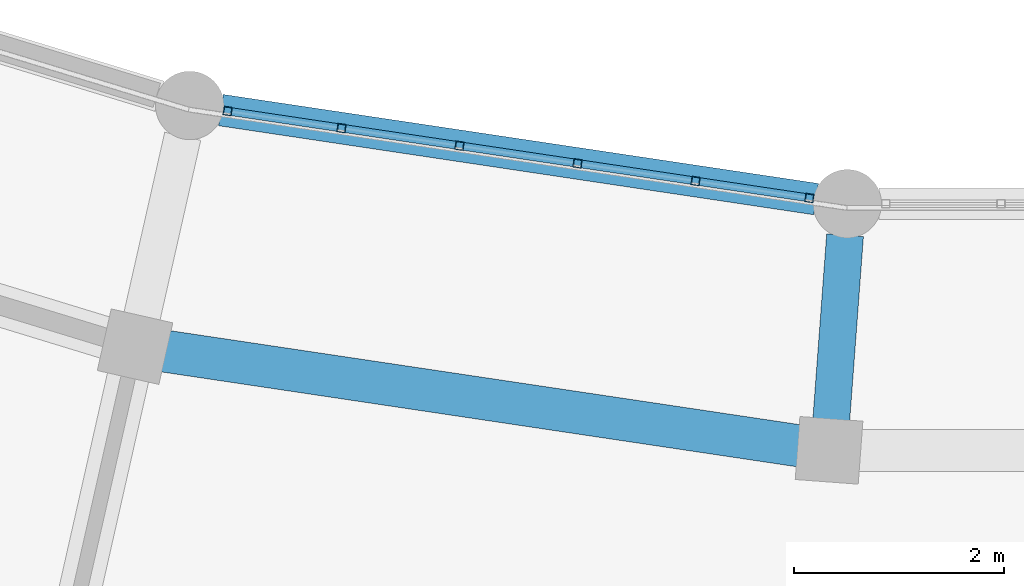
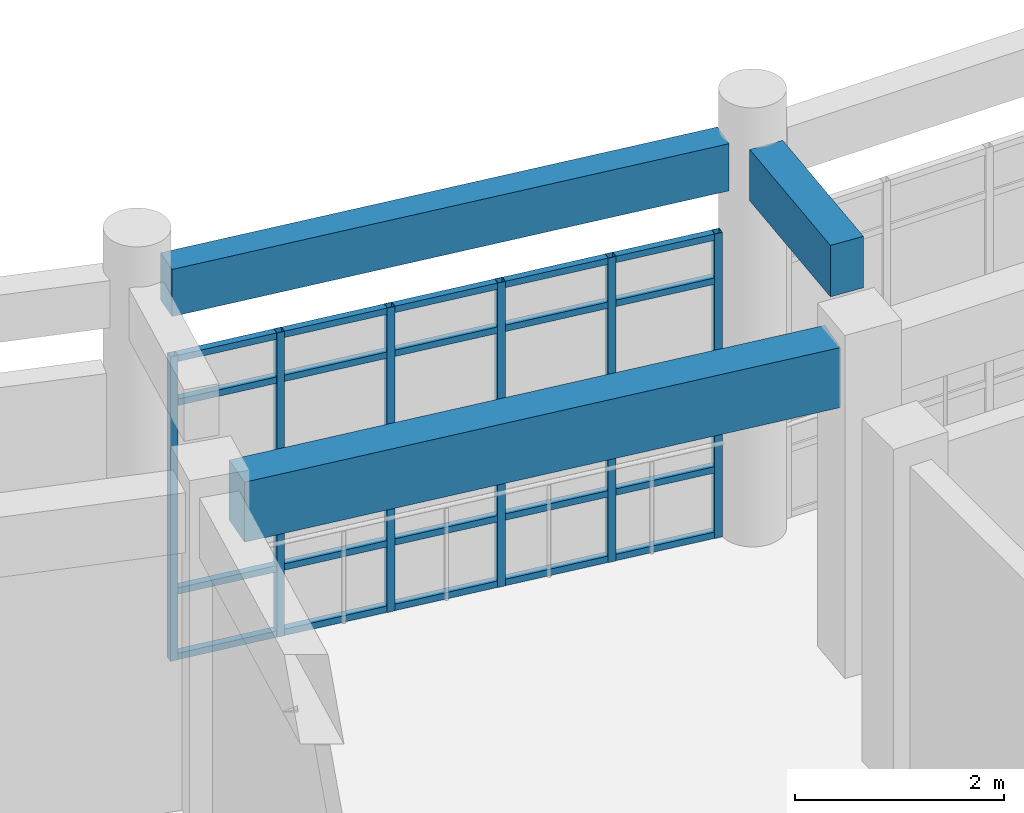
# One storey, part 31 of 159: 26 members, 3 beams, 1 element without a shape of its own.
"""IFC4 building model written with IfcOpenShell, lengths in metres."""

from ifc_helpers import new_model, si_unit, direction, frame, origin, origin_2d, place, context, subcontext, project, spatial, rectangle, hollow_rectangle, extrude, material, material_profile, profile_set, type_object, element, aggregate, save


model = new_model("IFC4")

# Units and contexts
model_context = context("Model", 3, precision=1e-05, world=origin(), true_north=direction((0.0, 1.0)))
body_context = subcontext(model_context, "Body", "Model", "MODEL_VIEW")
ifc_project = project(units=[si_unit("LENGTHUNIT", "METRE"), si_unit("AREAUNIT", "SQUARE_METRE"), si_unit("VOLUMEUNIT", "CUBIC_METRE"), si_unit("PLANEANGLEUNIT", "RADIAN"), si_unit("MASSUNIT", "GRAM", prefix="KILO")], contexts=[model_context])

# Site, building, storey
site_placement = place(None, origin())
site = spatial("IfcSite", under=ifc_project, at=site_placement, CompositionType="ELEMENT")
building_placement = place(site_placement, origin())
building = spatial("IfcBuilding", under=site, at=building_placement, Name="Celadon Cloister-Ring School", CompositionType="ELEMENT")
storey_placement = place(building_placement, frame((0.0, 0.0, 4.5)))
storey = spatial("IfcBuildingStorey", under=building, at=storey_placement, Name="L01", CompositionType="ELEMENT", Elevation=4.5)

# Beam
ifc_material_1 = material(Name="Concrete C35/45", Category="concrete")
ifc_material_profile_1 = material_profile(ifc_material_1, rectangle(XDim=0.35009765625, YDim=0.60009765625, at=origin_2d()), Name="RC350X600")
ifc_profile_set_1 = profile_set([ifc_material_profile_1], Name="Concrete C35/45")
beam_type_1 = type_object("IfcBeamType", Name="BT-02", PredefinedType="BEAM", material=ifc_profile_set_1)
beam_1_placement = place(storey_placement, frame((83.68701171875, 14.39794921875, 4.35009765625), z_axis=(0.074413800037, 0.997227449664, 0.0), x_axis=(-0.997227449664, 0.074413800037, 0.0)))
element("IfcBeam", 1, at=beam_1_placement, inside=storey, type_object=beam_type_1, Name="Beam 0232", PredefinedType="BEAM", context=body_context, shape_type="SweptSolid", body=[
    extrude(rectangle(XDim=0.35009765625, YDim=0.60009765625, at=origin_2d()), origin(), (0.0, 0.0, 1.0), 1.77490234375),
])

# Curtain wall, members
ifc_material_2 = material(Name="Aluminium EN AW-6063 T6", Category="aluminium")
curtain_wall_type = type_object("IfcCurtainWallType", Name="CW-01", PredefinedType="USERDEFINED", material=ifc_material_2)
curtain_wall_placement = place(storey_placement, origin())
curtain_wall = element("IfcCurtainWall", 2, at=curtain_wall_placement, inside=storey, type_object=curtain_wall_type, Name="Curtain Wall 0031", ObjectType="CURTAIN WALL", PredefinedType="USERDEFINED")
ifc_material_3 = material(Name="Aluminium EN AW-6063 T6", Category="aluminium")
ifc_material_profile_2 = material_profile(ifc_material_3, hollow_rectangle(XDim=0.080078125, YDim=0.080078125, WallThickness=0.00390625, at=origin_2d()), Name="RHS80X80X4")
ifc_profile_set_2 = profile_set([ifc_material_profile_2], Name="Aluminium EN AW-6063 T6")
member_type_1 = type_object("IfcMemberType", Name="CM-03", PredefinedType="MULLION", material=ifc_profile_set_2)
member_1_placement = place(storey_placement, frame((77.95263671875, 17.34716796875, 0.0), z_axis=(0.0, 0.0, 1.0), x_axis=(0.147814282744, 0.989015135282, 0.0)))
member_1 = element("IfcMember", 3, at=member_1_placement, type_object=member_type_1, Name="CW-01 mullion 1", PredefinedType="MULLION", context=body_context, shape_type="SweptSolid", body=[
    extrude(hollow_rectangle(XDim=0.080078125, YDim=0.080078125, WallThickness=0.00390625, at=origin_2d()), origin(), (0.0, 0.0, 1.0), 3.550048828125),
])
member_2_placement = place(storey_placement, frame((79.034423828125, 17.185302734375, 0.0), z_axis=(0.0, 0.0, 1.0), x_axis=(0.147814282744, 0.989015135282, 0.0)))
member_2 = element("IfcMember", 4, at=member_2_placement, type_object=member_type_1, Name="CW-01 mullion 2", PredefinedType="MULLION", context=body_context, shape_type="SweptSolid", body=[
    extrude(hollow_rectangle(XDim=0.080078125, YDim=0.080078125, WallThickness=0.00390625, at=origin_2d()), origin(), (0.0, 0.0, 1.0), 3.550048828125),
])
member_3_placement = place(storey_placement, frame((80.15576171875, 17.017822265625, 0.0), z_axis=(0.0, 0.0, 1.0), x_axis=(0.147814282744, 0.989015135282, 0.0)))
member_3 = element("IfcMember", 5, at=member_3_placement, type_object=member_type_1, Name="CW-01 mullion 3", PredefinedType="MULLION", context=body_context, shape_type="SweptSolid", body=[
    extrude(hollow_rectangle(XDim=0.080078125, YDim=0.080078125, WallThickness=0.00390625, at=origin_2d()), origin(), (0.0, 0.0, 1.0), 3.550048828125),
])
member_4_placement = place(storey_placement, frame((81.277099609375, 16.85009765625, 0.0), z_axis=(0.0, 0.0, 1.0), x_axis=(0.147814282744, 0.989015135282, 0.0)))
member_4 = element("IfcMember", 6, at=member_4_placement, type_object=member_type_1, Name="CW-01 mullion 4", PredefinedType="MULLION", context=body_context, shape_type="SweptSolid", body=[
    extrude(hollow_rectangle(XDim=0.080078125, YDim=0.080078125, WallThickness=0.00390625, at=origin_2d()), origin(), (0.0, 0.0, 1.0), 3.550048828125),
])
member_5_placement = place(storey_placement, frame((82.398681640625, 16.6826171875, 0.0), z_axis=(0.0, 0.0, 1.0), x_axis=(0.147814282744, 0.989015135282, 0.0)))
member_5 = element("IfcMember", 7, at=member_5_placement, type_object=member_type_1, Name="CW-01 mullion 5", PredefinedType="MULLION", context=body_context, shape_type="SweptSolid", body=[
    extrude(hollow_rectangle(XDim=0.080078125, YDim=0.080078125, WallThickness=0.00390625, at=origin_2d()), origin(), (0.0, 0.0, 1.0), 3.550048828125),
])
member_6_placement = place(storey_placement, frame((83.48046875, 16.52099609375, 0.0), z_axis=(0.0, 0.0, 1.0), x_axis=(0.147814282744, 0.989015135282, 0.0)))
member_6 = element("IfcMember", 8, at=member_6_placement, type_object=member_type_1, Name="CW-01 mullion 6", PredefinedType="MULLION", context=body_context, shape_type="SweptSolid", body=[
    extrude(hollow_rectangle(XDim=0.080078125, YDim=0.080078125, WallThickness=0.00390625, at=origin_2d()), origin(), (0.0, 0.0, 1.0), 3.550048828125),
])
ifc_material_4 = material(Name="Aluminium EN AW-6063 T6", Category="aluminium")
ifc_material_profile_3 = material_profile(ifc_material_4, hollow_rectangle(XDim=0.074951171875, YDim=0.074951171875, WallThickness=0.00390625, at=origin_2d()), Name="RHS75X75X4")
ifc_profile_set_3 = profile_set([ifc_material_profile_3], Name="Aluminium EN AW-6063 T6")
member_type_2 = type_object("IfcMemberType", Name="CTM-03", PredefinedType="USERDEFINED", material=ifc_profile_set_3)
member_7_placement = place(storey_placement, frame((77.9921875, 17.341064453125, 0.03759765625), z_axis=(0.989043842312, -0.147622078241, 0.0), x_axis=(0.147622078241, 0.989043842312, 0.0)))
member_7 = element("IfcMember", 9, at=member_7_placement, type_object=member_type_2, Name="CW-01 transom 1.1", ObjectType="TRANSOM", PredefinedType="USERDEFINED", context=body_context, shape_type="SweptSolid", body=[
    extrude(hollow_rectangle(XDim=0.074951171875, YDim=0.074951171875, WallThickness=0.00390625, at=origin_2d()), origin(), (0.0, 0.0, 1.0), 1.013671875),
])
member_8_placement = place(storey_placement, frame((77.9921875, 17.341064453125, 0.800048828125), z_axis=(0.989043842312, -0.147622078241, 0.0), x_axis=(0.147622078241, 0.989043842312, 0.0)))
member_8 = element("IfcMember", 10, at=member_8_placement, type_object=member_type_2, Name="CW-01 transom 1.2", ObjectType="TRANSOM", PredefinedType="USERDEFINED", context=body_context, shape_type="SweptSolid", body=[
    extrude(hollow_rectangle(XDim=0.074951171875, YDim=0.074951171875, WallThickness=0.00390625, at=origin_2d()), origin(), (0.0, 0.0, 1.0), 1.013671875),
])
member_9_placement = place(storey_placement, frame((77.9921875, 17.341064453125, 3.0), z_axis=(0.989043842312, -0.147622078241, 0.0), x_axis=(0.147622078241, 0.989043842312, 0.0)))
member_9 = element("IfcMember", 11, at=member_9_placement, type_object=member_type_2, Name="CW-01 transom 1.3", ObjectType="TRANSOM", PredefinedType="USERDEFINED", context=body_context, shape_type="SweptSolid", body=[
    extrude(hollow_rectangle(XDim=0.074951171875, YDim=0.074951171875, WallThickness=0.00390625, at=origin_2d()), origin(), (0.0, 0.0, 1.0), 1.013671875),
])
member_10_placement = place(storey_placement, frame((77.9921875, 17.341064453125, 3.512451171875), z_axis=(0.989043842312, -0.147622078241, 0.0), x_axis=(0.147622078241, 0.989043842312, 0.0)))
member_10 = element("IfcMember", 12, at=member_10_placement, type_object=member_type_2, Name="CW-01 transom 1.4", ObjectType="TRANSOM", PredefinedType="USERDEFINED", context=body_context, shape_type="SweptSolid", body=[
    extrude(hollow_rectangle(XDim=0.074951171875, YDim=0.074951171875, WallThickness=0.00390625, at=origin_2d()), origin(), (0.0, 0.0, 1.0), 1.013671875),
])
member_11_placement = place(storey_placement, frame((79.073974609375, 17.179443359375, 0.03759765625), z_axis=(0.989016077564, -0.14780797786, 0.0), x_axis=(0.14780797786, 0.989016077564, 0.0)))
member_11 = element("IfcMember", 13, at=member_11_placement, type_object=member_type_2, Name="CW-01 transom 2.1", ObjectType="TRANSOM", PredefinedType="USERDEFINED", context=body_context, shape_type="SweptSolid", body=[
    extrude(hollow_rectangle(XDim=0.074951171875, YDim=0.074951171875, WallThickness=0.00390625, at=origin_2d()), origin(), (0.0, 0.0, 1.0), 1.0537109375),
])
member_12_placement = place(storey_placement, frame((79.073974609375, 17.179443359375, 0.800048828125), z_axis=(0.989016077564, -0.14780797786, 0.0), x_axis=(0.14780797786, 0.989016077564, 0.0)))
member_12 = element("IfcMember", 14, at=member_12_placement, type_object=member_type_2, Name="CW-01 transom 2.2", ObjectType="TRANSOM", PredefinedType="USERDEFINED", context=body_context, shape_type="SweptSolid", body=[
    extrude(hollow_rectangle(XDim=0.074951171875, YDim=0.074951171875, WallThickness=0.00390625, at=origin_2d()), origin(), (0.0, 0.0, 1.0), 1.0537109375),
])
member_13_placement = place(storey_placement, frame((79.073974609375, 17.179443359375, 3.0), z_axis=(0.989016077564, -0.14780797786, 0.0), x_axis=(0.14780797786, 0.989016077564, 0.0)))
member_13 = element("IfcMember", 15, at=member_13_placement, type_object=member_type_2, Name="CW-01 transom 2.3", ObjectType="TRANSOM", PredefinedType="USERDEFINED", context=body_context, shape_type="SweptSolid", body=[
    extrude(hollow_rectangle(XDim=0.074951171875, YDim=0.074951171875, WallThickness=0.00390625, at=origin_2d()), origin(), (0.0, 0.0, 1.0), 1.0537109375),
])
member_14_placement = place(storey_placement, frame((79.073974609375, 17.179443359375, 3.512451171875), z_axis=(0.989016077564, -0.14780797786, 0.0), x_axis=(0.14780797786, 0.989016077564, 0.0)))
member_14 = element("IfcMember", 16, at=member_14_placement, type_object=member_type_2, Name="CW-01 transom 2.4", ObjectType="TRANSOM", PredefinedType="USERDEFINED", context=body_context, shape_type="SweptSolid", body=[
    extrude(hollow_rectangle(XDim=0.074951171875, YDim=0.074951171875, WallThickness=0.00390625, at=origin_2d()), origin(), (0.0, 0.0, 1.0), 1.0537109375),
])
member_15_placement = place(storey_placement, frame((80.1953125, 17.011962890625, 0.03759765625), z_axis=(0.989016077564, -0.14780797786, 0.0), x_axis=(0.14780797786, 0.989016077564, 0.0)))
member_15 = element("IfcMember", 17, at=member_15_placement, type_object=member_type_2, Name="CW-01 transom 3.1", ObjectType="TRANSOM", PredefinedType="USERDEFINED", context=body_context, shape_type="SweptSolid", body=[
    extrude(hollow_rectangle(XDim=0.074951171875, YDim=0.074951171875, WallThickness=0.00390625, at=origin_2d()), origin(), (0.0, 0.0, 1.0), 1.0537109375),
])
member_16_placement = place(storey_placement, frame((80.1953125, 17.011962890625, 0.800048828125), z_axis=(0.989016077564, -0.14780797786, 0.0), x_axis=(0.14780797786, 0.989016077564, 0.0)))
member_16 = element("IfcMember", 18, at=member_16_placement, type_object=member_type_2, Name="CW-01 transom 3.2", ObjectType="TRANSOM", PredefinedType="USERDEFINED", context=body_context, shape_type="SweptSolid", body=[
    extrude(hollow_rectangle(XDim=0.074951171875, YDim=0.074951171875, WallThickness=0.00390625, at=origin_2d()), origin(), (0.0, 0.0, 1.0), 1.0537109375),
])
member_17_placement = place(storey_placement, frame((80.1953125, 17.011962890625, 3.0), z_axis=(0.989016077564, -0.14780797786, 0.0), x_axis=(0.14780797786, 0.989016077564, 0.0)))
member_17 = element("IfcMember", 19, at=member_17_placement, type_object=member_type_2, Name="CW-01 transom 3.3", ObjectType="TRANSOM", PredefinedType="USERDEFINED", context=body_context, shape_type="SweptSolid", body=[
    extrude(hollow_rectangle(XDim=0.074951171875, YDim=0.074951171875, WallThickness=0.00390625, at=origin_2d()), origin(), (0.0, 0.0, 1.0), 1.0537109375),
])
member_18_placement = place(storey_placement, frame((80.1953125, 17.011962890625, 3.512451171875), z_axis=(0.989016077564, -0.14780797786, 0.0), x_axis=(0.14780797786, 0.989016077564, 0.0)))
member_18 = element("IfcMember", 20, at=member_18_placement, type_object=member_type_2, Name="CW-01 transom 3.4", ObjectType="TRANSOM", PredefinedType="USERDEFINED", context=body_context, shape_type="SweptSolid", body=[
    extrude(hollow_rectangle(XDim=0.074951171875, YDim=0.074951171875, WallThickness=0.00390625, at=origin_2d()), origin(), (0.0, 0.0, 1.0), 1.0537109375),
])
member_19_placement = place(storey_placement, frame((81.316650390625, 16.84423828125, 0.03759765625), z_axis=(0.989021137252, -0.1477741184, 0.0), x_axis=(0.1477741184, 0.989021137252, 0.0)))
member_19 = element("IfcMember", 21, at=member_19_placement, type_object=member_type_2, Name="CW-01 transom 4.1", ObjectType="TRANSOM", PredefinedType="USERDEFINED", context=body_context, shape_type="SweptSolid", body=[
    extrude(hollow_rectangle(XDim=0.074951171875, YDim=0.074951171875, WallThickness=0.00390625, at=origin_2d()), origin(), (0.0, 0.0, 1.0), 1.053955078125),
])
member_20_placement = place(storey_placement, frame((81.316650390625, 16.84423828125, 0.800048828125), z_axis=(0.989021137252, -0.1477741184, 0.0), x_axis=(0.1477741184, 0.989021137252, 0.0)))
member_20 = element("IfcMember", 22, at=member_20_placement, type_object=member_type_2, Name="CW-01 transom 4.2", ObjectType="TRANSOM", PredefinedType="USERDEFINED", context=body_context, shape_type="SweptSolid", body=[
    extrude(hollow_rectangle(XDim=0.074951171875, YDim=0.074951171875, WallThickness=0.00390625, at=origin_2d()), origin(), (0.0, 0.0, 1.0), 1.053955078125),
])
member_21_placement = place(storey_placement, frame((81.316650390625, 16.84423828125, 3.0), z_axis=(0.989021137252, -0.1477741184, 0.0), x_axis=(0.1477741184, 0.989021137252, 0.0)))
member_21 = element("IfcMember", 23, at=member_21_placement, type_object=member_type_2, Name="CW-01 transom 4.3", ObjectType="TRANSOM", PredefinedType="USERDEFINED", context=body_context, shape_type="SweptSolid", body=[
    extrude(hollow_rectangle(XDim=0.074951171875, YDim=0.074951171875, WallThickness=0.00390625, at=origin_2d()), origin(), (0.0, 0.0, 1.0), 1.053955078125),
])
member_22_placement = place(storey_placement, frame((81.316650390625, 16.84423828125, 3.512451171875), z_axis=(0.989021137252, -0.1477741184, 0.0), x_axis=(0.1477741184, 0.989021137252, 0.0)))
member_22 = element("IfcMember", 24, at=member_22_placement, type_object=member_type_2, Name="CW-01 transom 4.4", ObjectType="TRANSOM", PredefinedType="USERDEFINED", context=body_context, shape_type="SweptSolid", body=[
    extrude(hollow_rectangle(XDim=0.074951171875, YDim=0.074951171875, WallThickness=0.00390625, at=origin_2d()), origin(), (0.0, 0.0, 1.0), 1.053955078125),
])
member_23_placement = place(storey_placement, frame((82.438232421875, 16.6767578125, 0.03759765625), z_axis=(0.989008654796, -0.147857636729, 0.0), x_axis=(0.147857636729, 0.989008654796, 0.0)))
member_23 = element("IfcMember", 25, at=member_23_placement, type_object=member_type_2, Name="CW-01 transom 5.1", ObjectType="TRANSOM", PredefinedType="USERDEFINED", context=body_context, shape_type="SweptSolid", body=[
    extrude(hollow_rectangle(XDim=0.074951171875, YDim=0.074951171875, WallThickness=0.00390625, at=origin_2d()), origin(), (0.0, 0.0, 1.0), 1.013916015625),
])
member_24_placement = place(storey_placement, frame((82.438232421875, 16.6767578125, 0.800048828125), z_axis=(0.989008654796, -0.147857636729, 0.0), x_axis=(0.147857636729, 0.989008654796, 0.0)))
member_24 = element("IfcMember", 26, at=member_24_placement, type_object=member_type_2, Name="CW-01 transom 5.2", ObjectType="TRANSOM", PredefinedType="USERDEFINED", context=body_context, shape_type="SweptSolid", body=[
    extrude(hollow_rectangle(XDim=0.074951171875, YDim=0.074951171875, WallThickness=0.00390625, at=origin_2d()), origin(), (0.0, 0.0, 1.0), 1.013916015625),
])
member_25_placement = place(storey_placement, frame((82.438232421875, 16.6767578125, 3.0), z_axis=(0.989008654796, -0.147857636729, 0.0), x_axis=(0.147857636729, 0.989008654796, 0.0)))
member_25 = element("IfcMember", 27, at=member_25_placement, type_object=member_type_2, Name="CW-01 transom 5.3", ObjectType="TRANSOM", PredefinedType="USERDEFINED", context=body_context, shape_type="SweptSolid", body=[
    extrude(hollow_rectangle(XDim=0.074951171875, YDim=0.074951171875, WallThickness=0.00390625, at=origin_2d()), origin(), (0.0, 0.0, 1.0), 1.013916015625),
])
member_26_placement = place(storey_placement, frame((82.438232421875, 16.6767578125, 3.512451171875), z_axis=(0.989008654796, -0.147857636729, 0.0), x_axis=(0.147857636729, 0.989008654796, 0.0)))
member_26 = element("IfcMember", 28, at=member_26_placement, type_object=member_type_2, Name="CW-01 transom 5.4", ObjectType="TRANSOM", PredefinedType="USERDEFINED", context=body_context, shape_type="SweptSolid", body=[
    extrude(hollow_rectangle(XDim=0.074951171875, YDim=0.074951171875, WallThickness=0.00390625, at=origin_2d()), origin(), (0.0, 0.0, 1.0), 1.013916015625),
])
aggregate(curtain_wall, [member_1, member_2, member_3, member_4, member_5, member_6, member_7, member_8, member_9, member_10, member_11, member_12, member_13, member_14, member_15, member_16, member_17, member_18, member_19, member_20, member_21, member_22, member_23, member_24, member_25, member_26])

# Beams
ifc_material_5 = material(Name="Concrete C35/45", Category="concrete")
ifc_material_profile_4 = material_profile(ifc_material_5, rectangle(XDim=0.39990234375, YDim=0.699951171875, at=origin_2d()), Name="RC400X700")
ifc_profile_set_4 = profile_set([ifc_material_profile_4], Name="Concrete C35/45")
beam_type_2 = type_object("IfcBeamType", Name="GT-03", PredefinedType="USERDEFINED", material=ifc_profile_set_4)
beam_2_placement = place(storey_placement, frame((77.344970703125, 15.068115234375, 3.429931640625), z_axis=(0.989042366653, -0.14763196458, 0.0), x_axis=(0.14763196458, 0.989042366653, 0.0)))
element("IfcBeam", 29, at=beam_2_placement, inside=storey, type_object=beam_type_2, Name="Beam 0329", ObjectType="GIRDER", PredefinedType="USERDEFINED", context=body_context, shape_type="SweptSolid", body=[
    extrude(rectangle(XDim=0.39990234375, YDim=0.699951171875, at=origin_2d()), origin(), (0.0, 0.0, 1.0), 6.1171875),
])
ifc_material_6 = material(Name="Concrete C35/45", Category="concrete")
ifc_material_profile_5 = material_profile(ifc_material_6, rectangle(XDim=0.300048828125, YDim=0.550048828125, at=origin_2d()), Name="RC300X550")
ifc_profile_set_5 = profile_set([ifc_material_profile_5], Name="Concrete C35/45")
beam_type_3 = type_object("IfcBeamType", Name="SP-02", PredefinedType="SPANDREL", material=ifc_profile_set_5)
beam_3_placement = place(storey_placement, frame((77.888916015625, 17.35693359375, 4.375), z_axis=(0.988995465625, -0.147945831213, 0.0), x_axis=(0.147945831213, 0.988995465625, 0.0)))
element("IfcBeam", 30, at=beam_3_placement, inside=storey, type_object=beam_type_3, Name="Beam 0330", PredefinedType="SPANDREL", context=body_context, shape_type="SweptSolid", body=[
    extrude(rectangle(XDim=0.300048828125, YDim=0.550048828125, at=origin_2d()), origin(), (0.0, 0.0, 1.0), 5.718017578125),
])

save(model, "model.ifc")
